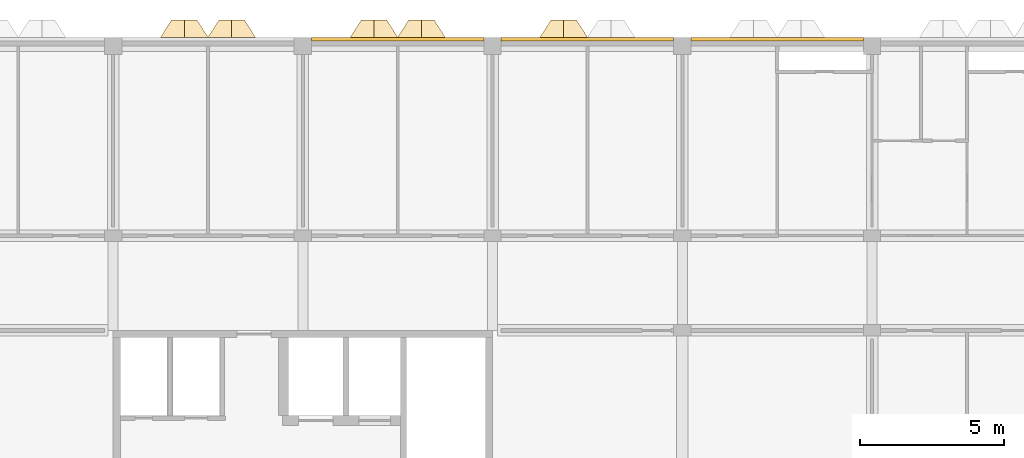
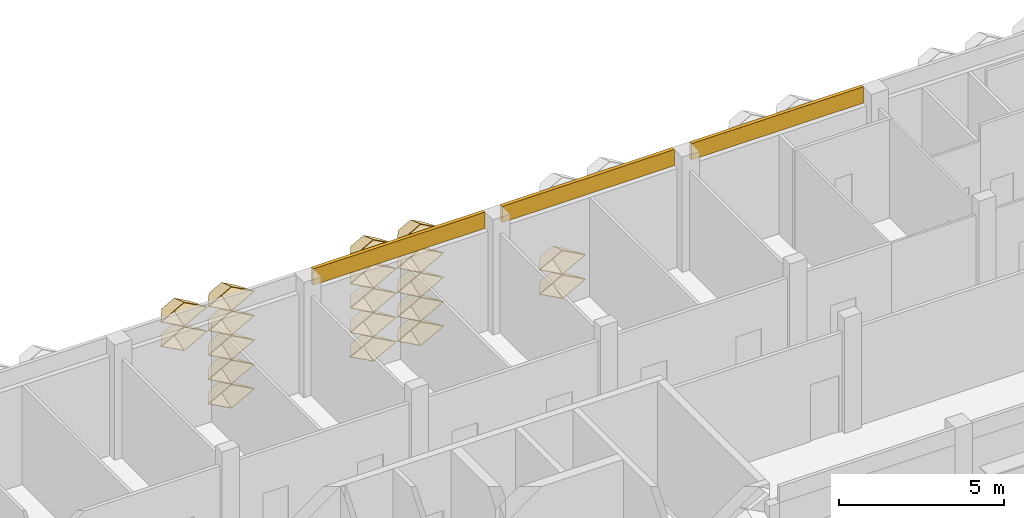
# One storey, part 79 of 85: 22 coverings.
"""IFC4 building model written with IfcOpenShell, lengths in metres."""

from ifc_helpers import new_model, entity, si_unit, direction, frame, frame_2d, origin, place, context, subcontext, project, spatial, rectangle, extrude, material, layer, layer_set, type_object, element, save


model = new_model("IFC4")

# Units and contexts
model_context = context("Model", 3, precision=1e-05, world=origin(), true_north=direction((0.0, 1.0)))
body_context = subcontext(model_context, "Body", "Model", "MODEL_VIEW")
ifc_project = project(units=[si_unit("LENGTHUNIT", "METRE"), si_unit("AREAUNIT", "SQUARE_METRE"), si_unit("VOLUMEUNIT", "CUBIC_METRE"), si_unit("PLANEANGLEUNIT", "RADIAN"), si_unit("MASSUNIT", "GRAM", prefix="KILO")], contexts=[model_context])

# Site, building, storey
site_placement = place(None, origin())
site = spatial("IfcSite", under=ifc_project, at=site_placement, CompositionType="ELEMENT")
building_placement = place(site_placement, origin())
building = spatial("IfcBuilding", under=site, at=building_placement, Name="Lantern Court Research Institute", CompositionType="ELEMENT")
storey_placement = place(building_placement, frame((0.0, 0.0, 18.89990234375)))
storey = spatial("IfcBuildingStorey", under=building, at=storey_placement, Name="L04", CompositionType="ELEMENT", Elevation=18.89990234375)

# Coverings
ifc_material_1 = material(Name="Aluminium composite panel with mineral wool insulation", Category="aluminium")
ifc_layer_1 = layer(ifc_material_1, 0.125)
ifc_layer_set_1 = layer_set([ifc_layer_1], Name="Aluminium composite panel with mineral wool insulation")
covering_type_1 = type_object("IfcCoveringType", Name="Edge fascia panel 125 aluminium faced", PredefinedType="CLADDING", material=ifc_layer_set_1)
for number, where, z_axis, x_axis, name in (
    (1, (46.5, 99.237548828125, 3.650146484375), (0.0, 0.0, 1.0), (1.0, 0.0, 0.0), "Edge fascia V6N L04 07"),
    (2, (53.10009765625, 99.237548828125, 3.650146484375), (0.0, 0.0, 1.0), (1.0, 0.0, 0.0), "Edge fascia V6N L04 08"),
    (3, (59.699951171875, 99.237548828125, 3.650146484375), (0.0, 0.0, 1.0), (1.0, 0.0, 0.0), "Edge fascia V6N L04 09"),
):
    element("IfcCovering", number, at=place(storey_placement, frame(where, z_axis=z_axis, x_axis=x_axis)), inside=storey, type_object=covering_type_1, Name=name, PredefinedType="CLADDING", context=body_context, shape_type="SweptSolid", body=[
        extrude(rectangle(XDim=6.0, YDim=0.125, at=frame_2d((3.0, 0.0))), origin(), (0.0, 0.0, 1.0), 0.599853515625),
    ])
ifc_material_2 = material(Name="Anodised aluminium", Category="aluminium")
ifc_layer_2 = layer(ifc_material_2, 0.01611328125)
ifc_layer_set_2 = layer_set([ifc_layer_2], Name="Anodised aluminium")
covering_type_2 = type_object("IfcCoveringType", Name="Fin cassette 1650 x 900 x 600 aluminium", PredefinedType="CLADDING", material=ifc_layer_set_2)
covering_1_placement = place(storey_placement, frame((43.72509765625, 99.300048828125, 0.4501953125), z_axis=(0.0, 1.0, 0.0), x_axis=(-1.0, 0.0, 0.0)))
cartesian_point_1 = entity("IfcCartesianPoint", [0.824951171875, 0.0])
cartesian_point_2 = entity("IfcCartesianPoint", [0.79150390625, 0.0])
cartesian_point_3 = entity("IfcCartesianPoint", [0.44189453125, 0.0])
cartesian_point_4 = entity("IfcCartesianPoint", [0.43359375, 0.0])
element("IfcCovering", 4, at=covering_1_placement, inside=storey, type_object=covering_type_2, Name="Fin cassette V6N-L04 1.27", PredefinedType="CLADDING", context=body_context, shape_type="SweptSolid", body=[
    entity("IfcExtrudedAreaSolidTapered", entity("IfcArbitraryProfileDefWithVoids", "AREA", None, entity("IfcPolyline", [cartesian_point_1, entity("IfcCartesianPoint", [0.0, 0.449951171875]), entity("IfcCartesianPoint", [-0.824951171875, 0.0]), entity("IfcCartesianPoint", [0.0, -0.449951171875]), cartesian_point_1]), [entity("IfcPolyline", [cartesian_point_2, entity("IfcCartesianPoint", [0.0, 0.431884765625]), entity("IfcCartesianPoint", [-0.79150390625, 0.0]), entity("IfcCartesianPoint", [0.0, -0.431884765625]), cartesian_point_2])]), entity("IfcAxis2Placement3D", entity("IfcCartesianPoint", [0.0, 0.0, 0.0])), entity("IfcDirection", [0.0, 0.0, 1.0]), 0.60009765625, entity("IfcArbitraryProfileDefWithVoids", "AREA", None, entity("IfcPolyline", [cartesian_point_3, entity("IfcCartesianPoint", [0.0, 0.240966796875]), entity("IfcCartesianPoint", [-0.44189453125, 0.0]), entity("IfcCartesianPoint", [0.0, -0.240966796875]), cartesian_point_3]), [entity("IfcPolyline", [cartesian_point_4, entity("IfcCartesianPoint", [0.0, 0.236572265625]), entity("IfcCartesianPoint", [-0.43359375, 0.0]), entity("IfcCartesianPoint", [0.0, -0.236572265625]), cartesian_point_4])])),
])
covering_2_placement = place(storey_placement, frame((48.675048828125, 99.300048828125, 0.4501953125), z_axis=(0.0, 1.0, 0.0), x_axis=(-1.0, 0.0, 0.0)))
cartesian_point_5 = entity("IfcCartesianPoint", [0.824951171875, 0.0])
cartesian_point_6 = entity("IfcCartesianPoint", [0.79150390625, 0.0])
cartesian_point_7 = entity("IfcCartesianPoint", [0.44189453125, 0.0])
cartesian_point_8 = entity("IfcCartesianPoint", [0.43359375, 0.0])
element("IfcCovering", 5, at=covering_2_placement, inside=storey, type_object=covering_type_2, Name="Fin cassette V6N-L04 1.30", PredefinedType="CLADDING", context=body_context, shape_type="SweptSolid", body=[
    entity("IfcExtrudedAreaSolidTapered", entity("IfcArbitraryProfileDefWithVoids", "AREA", None, entity("IfcPolyline", [cartesian_point_5, entity("IfcCartesianPoint", [0.0, 0.449951171875]), entity("IfcCartesianPoint", [-0.824951171875, 0.0]), entity("IfcCartesianPoint", [0.0, -0.449951171875]), cartesian_point_5]), [entity("IfcPolyline", [cartesian_point_6, entity("IfcCartesianPoint", [0.0, 0.431884765625]), entity("IfcCartesianPoint", [-0.79150390625, 0.0]), entity("IfcCartesianPoint", [0.0, -0.431884765625]), cartesian_point_6])]), entity("IfcAxis2Placement3D", entity("IfcCartesianPoint", [0.0, 0.0, 0.0])), entity("IfcDirection", [0.0, 0.0, 1.0]), 0.60009765625, entity("IfcArbitraryProfileDefWithVoids", "AREA", None, entity("IfcPolyline", [cartesian_point_7, entity("IfcCartesianPoint", [0.0, 0.240966796875]), entity("IfcCartesianPoint", [-0.44189453125, 0.0]), entity("IfcCartesianPoint", [0.0, -0.240966796875]), cartesian_point_7]), [entity("IfcPolyline", [cartesian_point_8, entity("IfcCartesianPoint", [0.0, 0.236572265625]), entity("IfcCartesianPoint", [-0.43359375, 0.0]), entity("IfcCartesianPoint", [0.0, -0.236572265625]), cartesian_point_8])])),
])
covering_3_placement = place(storey_placement, frame((50.324951171875, 99.300048828125, 0.4501953125), z_axis=(0.0, 1.0, 0.0), x_axis=(-1.0, 0.0, 0.0)))
cartesian_point_9 = entity("IfcCartesianPoint", [0.824951171875, 0.0])
cartesian_point_10 = entity("IfcCartesianPoint", [0.79150390625, 0.0])
cartesian_point_11 = entity("IfcCartesianPoint", [0.44189453125, 0.0])
cartesian_point_12 = entity("IfcCartesianPoint", [0.43359375, 0.0])
element("IfcCovering", 6, at=covering_3_placement, inside=storey, type_object=covering_type_2, Name="Fin cassette V6N-L04 1.31", PredefinedType="CLADDING", context=body_context, shape_type="SweptSolid", body=[
    entity("IfcExtrudedAreaSolidTapered", entity("IfcArbitraryProfileDefWithVoids", "AREA", None, entity("IfcPolyline", [cartesian_point_9, entity("IfcCartesianPoint", [0.0, 0.449951171875]), entity("IfcCartesianPoint", [-0.824951171875, 0.0]), entity("IfcCartesianPoint", [0.0, -0.449951171875]), cartesian_point_9]), [entity("IfcPolyline", [cartesian_point_10, entity("IfcCartesianPoint", [0.0, 0.431884765625]), entity("IfcCartesianPoint", [-0.79150390625, 0.0]), entity("IfcCartesianPoint", [0.0, -0.431884765625]), cartesian_point_10])]), entity("IfcAxis2Placement3D", entity("IfcCartesianPoint", [0.0, 0.0, 0.0])), entity("IfcDirection", [0.0, 0.0, 1.0]), 0.60009765625, entity("IfcArbitraryProfileDefWithVoids", "AREA", None, entity("IfcPolyline", [cartesian_point_11, entity("IfcCartesianPoint", [0.0, 0.240966796875]), entity("IfcCartesianPoint", [-0.44189453125, 0.0]), entity("IfcCartesianPoint", [0.0, -0.240966796875]), cartesian_point_11]), [entity("IfcPolyline", [cartesian_point_12, entity("IfcCartesianPoint", [0.0, 0.236572265625]), entity("IfcCartesianPoint", [-0.43359375, 0.0]), entity("IfcCartesianPoint", [0.0, -0.236572265625]), cartesian_point_12])])),
])
covering_4_placement = place(storey_placement, frame((55.27490234375, 99.300048828125, 0.4501953125), z_axis=(0.0, 1.0, 0.0), x_axis=(-1.0, 0.0, 0.0)))
cartesian_point_13 = entity("IfcCartesianPoint", [0.824951171875, 0.0])
cartesian_point_14 = entity("IfcCartesianPoint", [0.79150390625, 0.0])
cartesian_point_15 = entity("IfcCartesianPoint", [0.44189453125, 0.0])
cartesian_point_16 = entity("IfcCartesianPoint", [0.43359375, 0.0])
element("IfcCovering", 7, at=covering_4_placement, inside=storey, type_object=covering_type_2, Name="Fin cassette V6N-L04 1.34", PredefinedType="CLADDING", context=body_context, shape_type="SweptSolid", body=[
    entity("IfcExtrudedAreaSolidTapered", entity("IfcArbitraryProfileDefWithVoids", "AREA", None, entity("IfcPolyline", [cartesian_point_13, entity("IfcCartesianPoint", [0.0, 0.449951171875]), entity("IfcCartesianPoint", [-0.824951171875, 0.0]), entity("IfcCartesianPoint", [0.0, -0.449951171875]), cartesian_point_13]), [entity("IfcPolyline", [cartesian_point_14, entity("IfcCartesianPoint", [0.0, 0.431884765625]), entity("IfcCartesianPoint", [-0.79150390625, 0.0]), entity("IfcCartesianPoint", [0.0, -0.431884765625]), cartesian_point_14])]), entity("IfcAxis2Placement3D", entity("IfcCartesianPoint", [0.0, 0.0, 0.0])), entity("IfcDirection", [0.0, 0.0, 1.0]), 0.60009765625, entity("IfcArbitraryProfileDefWithVoids", "AREA", None, entity("IfcPolyline", [cartesian_point_15, entity("IfcCartesianPoint", [0.0, 0.240966796875]), entity("IfcCartesianPoint", [-0.44189453125, 0.0]), entity("IfcCartesianPoint", [0.0, -0.240966796875]), cartesian_point_15]), [entity("IfcPolyline", [cartesian_point_16, entity("IfcCartesianPoint", [0.0, 0.236572265625]), entity("IfcCartesianPoint", [-0.43359375, 0.0]), entity("IfcCartesianPoint", [0.0, -0.236572265625]), cartesian_point_16])])),
])
covering_5_placement = place(storey_placement, frame((43.72509765625, 99.300048828125, 1.35009765625), z_axis=(0.0, 1.0, 0.0), x_axis=(-1.0, 0.0, 0.0)))
cartesian_point_17 = entity("IfcCartesianPoint", [0.824951171875, 0.0])
cartesian_point_18 = entity("IfcCartesianPoint", [0.79150390625, 0.0])
cartesian_point_19 = entity("IfcCartesianPoint", [0.44189453125, 0.0])
cartesian_point_20 = entity("IfcCartesianPoint", [0.43359375, 0.0])
element("IfcCovering", 8, at=covering_5_placement, inside=storey, type_object=covering_type_2, Name="Fin cassette V6N-L04 2.27", PredefinedType="CLADDING", context=body_context, shape_type="SweptSolid", body=[
    entity("IfcExtrudedAreaSolidTapered", entity("IfcArbitraryProfileDefWithVoids", "AREA", None, entity("IfcPolyline", [cartesian_point_17, entity("IfcCartesianPoint", [0.0, 0.449951171875]), entity("IfcCartesianPoint", [-0.824951171875, 0.0]), entity("IfcCartesianPoint", [0.0, -0.449951171875]), cartesian_point_17]), [entity("IfcPolyline", [cartesian_point_18, entity("IfcCartesianPoint", [0.0, 0.431884765625]), entity("IfcCartesianPoint", [-0.79150390625, 0.0]), entity("IfcCartesianPoint", [0.0, -0.431884765625]), cartesian_point_18])]), entity("IfcAxis2Placement3D", entity("IfcCartesianPoint", [0.0, 0.0, 0.0])), entity("IfcDirection", [0.0, 0.0, 1.0]), 0.60009765625, entity("IfcArbitraryProfileDefWithVoids", "AREA", None, entity("IfcPolyline", [cartesian_point_19, entity("IfcCartesianPoint", [0.0, 0.240966796875]), entity("IfcCartesianPoint", [-0.44189453125, 0.0]), entity("IfcCartesianPoint", [0.0, -0.240966796875]), cartesian_point_19]), [entity("IfcPolyline", [cartesian_point_20, entity("IfcCartesianPoint", [0.0, 0.236572265625]), entity("IfcCartesianPoint", [-0.43359375, 0.0]), entity("IfcCartesianPoint", [0.0, -0.236572265625]), cartesian_point_20])])),
])
covering_6_placement = place(storey_placement, frame((48.675048828125, 99.300048828125, 1.35009765625), z_axis=(0.0, 1.0, 0.0), x_axis=(-1.0, 0.0, 0.0)))
cartesian_point_21 = entity("IfcCartesianPoint", [0.824951171875, 0.0])
cartesian_point_22 = entity("IfcCartesianPoint", [0.79150390625, 0.0])
cartesian_point_23 = entity("IfcCartesianPoint", [0.44189453125, 0.0])
cartesian_point_24 = entity("IfcCartesianPoint", [0.43359375, 0.0])
element("IfcCovering", 9, at=covering_6_placement, inside=storey, type_object=covering_type_2, Name="Fin cassette V6N-L04 2.30", PredefinedType="CLADDING", context=body_context, shape_type="SweptSolid", body=[
    entity("IfcExtrudedAreaSolidTapered", entity("IfcArbitraryProfileDefWithVoids", "AREA", None, entity("IfcPolyline", [cartesian_point_21, entity("IfcCartesianPoint", [0.0, 0.449951171875]), entity("IfcCartesianPoint", [-0.824951171875, 0.0]), entity("IfcCartesianPoint", [0.0, -0.449951171875]), cartesian_point_21]), [entity("IfcPolyline", [cartesian_point_22, entity("IfcCartesianPoint", [0.0, 0.431884765625]), entity("IfcCartesianPoint", [-0.79150390625, 0.0]), entity("IfcCartesianPoint", [0.0, -0.431884765625]), cartesian_point_22])]), entity("IfcAxis2Placement3D", entity("IfcCartesianPoint", [0.0, 0.0, 0.0])), entity("IfcDirection", [0.0, 0.0, 1.0]), 0.60009765625, entity("IfcArbitraryProfileDefWithVoids", "AREA", None, entity("IfcPolyline", [cartesian_point_23, entity("IfcCartesianPoint", [0.0, 0.240966796875]), entity("IfcCartesianPoint", [-0.44189453125, 0.0]), entity("IfcCartesianPoint", [0.0, -0.240966796875]), cartesian_point_23]), [entity("IfcPolyline", [cartesian_point_24, entity("IfcCartesianPoint", [0.0, 0.236572265625]), entity("IfcCartesianPoint", [-0.43359375, 0.0]), entity("IfcCartesianPoint", [0.0, -0.236572265625]), cartesian_point_24])])),
])
covering_7_placement = place(storey_placement, frame((50.324951171875, 99.300048828125, 1.35009765625), z_axis=(0.0, 1.0, 0.0), x_axis=(-1.0, 0.0, 0.0)))
cartesian_point_25 = entity("IfcCartesianPoint", [0.824951171875, 0.0])
cartesian_point_26 = entity("IfcCartesianPoint", [0.79150390625, 0.0])
cartesian_point_27 = entity("IfcCartesianPoint", [0.44189453125, 0.0])
cartesian_point_28 = entity("IfcCartesianPoint", [0.43359375, 0.0])
element("IfcCovering", 10, at=covering_7_placement, inside=storey, type_object=covering_type_2, Name="Fin cassette V6N-L04 2.31", PredefinedType="CLADDING", context=body_context, shape_type="SweptSolid", body=[
    entity("IfcExtrudedAreaSolidTapered", entity("IfcArbitraryProfileDefWithVoids", "AREA", None, entity("IfcPolyline", [cartesian_point_25, entity("IfcCartesianPoint", [0.0, 0.449951171875]), entity("IfcCartesianPoint", [-0.824951171875, 0.0]), entity("IfcCartesianPoint", [0.0, -0.449951171875]), cartesian_point_25]), [entity("IfcPolyline", [cartesian_point_26, entity("IfcCartesianPoint", [0.0, 0.431884765625]), entity("IfcCartesianPoint", [-0.79150390625, 0.0]), entity("IfcCartesianPoint", [0.0, -0.431884765625]), cartesian_point_26])]), entity("IfcAxis2Placement3D", entity("IfcCartesianPoint", [0.0, 0.0, 0.0])), entity("IfcDirection", [0.0, 0.0, 1.0]), 0.60009765625, entity("IfcArbitraryProfileDefWithVoids", "AREA", None, entity("IfcPolyline", [cartesian_point_27, entity("IfcCartesianPoint", [0.0, 0.240966796875]), entity("IfcCartesianPoint", [-0.44189453125, 0.0]), entity("IfcCartesianPoint", [0.0, -0.240966796875]), cartesian_point_27]), [entity("IfcPolyline", [cartesian_point_28, entity("IfcCartesianPoint", [0.0, 0.236572265625]), entity("IfcCartesianPoint", [-0.43359375, 0.0]), entity("IfcCartesianPoint", [0.0, -0.236572265625]), cartesian_point_28])])),
])
covering_8_placement = place(storey_placement, frame((55.27490234375, 99.300048828125, 1.35009765625), z_axis=(0.0, 1.0, 0.0), x_axis=(-1.0, 0.0, 0.0)))
cartesian_point_29 = entity("IfcCartesianPoint", [0.824951171875, 0.0])
cartesian_point_30 = entity("IfcCartesianPoint", [0.79150390625, 0.0])
cartesian_point_31 = entity("IfcCartesianPoint", [0.44189453125, 0.0])
cartesian_point_32 = entity("IfcCartesianPoint", [0.43359375, 0.0])
element("IfcCovering", 11, at=covering_8_placement, inside=storey, type_object=covering_type_2, Name="Fin cassette V6N-L04 2.34", PredefinedType="CLADDING", context=body_context, shape_type="SweptSolid", body=[
    entity("IfcExtrudedAreaSolidTapered", entity("IfcArbitraryProfileDefWithVoids", "AREA", None, entity("IfcPolyline", [cartesian_point_29, entity("IfcCartesianPoint", [0.0, 0.449951171875]), entity("IfcCartesianPoint", [-0.824951171875, 0.0]), entity("IfcCartesianPoint", [0.0, -0.449951171875]), cartesian_point_29]), [entity("IfcPolyline", [cartesian_point_30, entity("IfcCartesianPoint", [0.0, 0.431884765625]), entity("IfcCartesianPoint", [-0.79150390625, 0.0]), entity("IfcCartesianPoint", [0.0, -0.431884765625]), cartesian_point_30])]), entity("IfcAxis2Placement3D", entity("IfcCartesianPoint", [0.0, 0.0, 0.0])), entity("IfcDirection", [0.0, 0.0, 1.0]), 0.60009765625, entity("IfcArbitraryProfileDefWithVoids", "AREA", None, entity("IfcPolyline", [cartesian_point_31, entity("IfcCartesianPoint", [0.0, 0.240966796875]), entity("IfcCartesianPoint", [-0.44189453125, 0.0]), entity("IfcCartesianPoint", [0.0, -0.240966796875]), cartesian_point_31]), [entity("IfcPolyline", [cartesian_point_32, entity("IfcCartesianPoint", [0.0, 0.236572265625]), entity("IfcCartesianPoint", [-0.43359375, 0.0]), entity("IfcCartesianPoint", [0.0, -0.236572265625]), cartesian_point_32])])),
])
covering_9_placement = place(storey_placement, frame((43.72509765625, 99.300048828125, 2.25), z_axis=(0.0, 1.0, 0.0), x_axis=(-1.0, 0.0, 0.0)))
cartesian_point_33 = entity("IfcCartesianPoint", [0.824951171875, 0.0])
cartesian_point_34 = entity("IfcCartesianPoint", [0.79150390625, 0.0])
cartesian_point_35 = entity("IfcCartesianPoint", [0.44189453125, 0.0])
cartesian_point_36 = entity("IfcCartesianPoint", [0.43359375, 0.0])
element("IfcCovering", 12, at=covering_9_placement, inside=storey, type_object=covering_type_2, Name="Fin cassette V6N-L04 3.27", PredefinedType="CLADDING", context=body_context, shape_type="SweptSolid", body=[
    entity("IfcExtrudedAreaSolidTapered", entity("IfcArbitraryProfileDefWithVoids", "AREA", None, entity("IfcPolyline", [cartesian_point_33, entity("IfcCartesianPoint", [0.0, 0.449951171875]), entity("IfcCartesianPoint", [-0.824951171875, 0.0]), entity("IfcCartesianPoint", [0.0, -0.449951171875]), cartesian_point_33]), [entity("IfcPolyline", [cartesian_point_34, entity("IfcCartesianPoint", [0.0, 0.431884765625]), entity("IfcCartesianPoint", [-0.79150390625, 0.0]), entity("IfcCartesianPoint", [0.0, -0.431884765625]), cartesian_point_34])]), entity("IfcAxis2Placement3D", entity("IfcCartesianPoint", [0.0, 0.0, 0.0])), entity("IfcDirection", [0.0, 0.0, 1.0]), 0.60009765625, entity("IfcArbitraryProfileDefWithVoids", "AREA", None, entity("IfcPolyline", [cartesian_point_35, entity("IfcCartesianPoint", [0.0, 0.240966796875]), entity("IfcCartesianPoint", [-0.44189453125, 0.0]), entity("IfcCartesianPoint", [0.0, -0.240966796875]), cartesian_point_35]), [entity("IfcPolyline", [cartesian_point_36, entity("IfcCartesianPoint", [0.0, 0.236572265625]), entity("IfcCartesianPoint", [-0.43359375, 0.0]), entity("IfcCartesianPoint", [0.0, -0.236572265625]), cartesian_point_36])])),
])
covering_10_placement = place(storey_placement, frame((48.675048828125, 99.300048828125, 2.25), z_axis=(0.0, 1.0, 0.0), x_axis=(-1.0, 0.0, 0.0)))
cartesian_point_37 = entity("IfcCartesianPoint", [0.824951171875, 0.0])
cartesian_point_38 = entity("IfcCartesianPoint", [0.79150390625, 0.0])
cartesian_point_39 = entity("IfcCartesianPoint", [0.44189453125, 0.0])
cartesian_point_40 = entity("IfcCartesianPoint", [0.43359375, 0.0])
element("IfcCovering", 13, at=covering_10_placement, inside=storey, type_object=covering_type_2, Name="Fin cassette V6N-L04 3.30", PredefinedType="CLADDING", context=body_context, shape_type="SweptSolid", body=[
    entity("IfcExtrudedAreaSolidTapered", entity("IfcArbitraryProfileDefWithVoids", "AREA", None, entity("IfcPolyline", [cartesian_point_37, entity("IfcCartesianPoint", [0.0, 0.449951171875]), entity("IfcCartesianPoint", [-0.824951171875, 0.0]), entity("IfcCartesianPoint", [0.0, -0.449951171875]), cartesian_point_37]), [entity("IfcPolyline", [cartesian_point_38, entity("IfcCartesianPoint", [0.0, 0.431884765625]), entity("IfcCartesianPoint", [-0.79150390625, 0.0]), entity("IfcCartesianPoint", [0.0, -0.431884765625]), cartesian_point_38])]), entity("IfcAxis2Placement3D", entity("IfcCartesianPoint", [0.0, 0.0, 0.0])), entity("IfcDirection", [0.0, 0.0, 1.0]), 0.60009765625, entity("IfcArbitraryProfileDefWithVoids", "AREA", None, entity("IfcPolyline", [cartesian_point_39, entity("IfcCartesianPoint", [0.0, 0.240966796875]), entity("IfcCartesianPoint", [-0.44189453125, 0.0]), entity("IfcCartesianPoint", [0.0, -0.240966796875]), cartesian_point_39]), [entity("IfcPolyline", [cartesian_point_40, entity("IfcCartesianPoint", [0.0, 0.236572265625]), entity("IfcCartesianPoint", [-0.43359375, 0.0]), entity("IfcCartesianPoint", [0.0, -0.236572265625]), cartesian_point_40])])),
])
covering_11_placement = place(storey_placement, frame((50.324951171875, 99.300048828125, 2.25), z_axis=(0.0, 1.0, 0.0), x_axis=(-1.0, 0.0, 0.0)))
cartesian_point_41 = entity("IfcCartesianPoint", [0.824951171875, 0.0])
cartesian_point_42 = entity("IfcCartesianPoint", [0.79150390625, 0.0])
cartesian_point_43 = entity("IfcCartesianPoint", [0.44189453125, 0.0])
cartesian_point_44 = entity("IfcCartesianPoint", [0.43359375, 0.0])
element("IfcCovering", 14, at=covering_11_placement, inside=storey, type_object=covering_type_2, Name="Fin cassette V6N-L04 3.31", PredefinedType="CLADDING", context=body_context, shape_type="SweptSolid", body=[
    entity("IfcExtrudedAreaSolidTapered", entity("IfcArbitraryProfileDefWithVoids", "AREA", None, entity("IfcPolyline", [cartesian_point_41, entity("IfcCartesianPoint", [0.0, 0.449951171875]), entity("IfcCartesianPoint", [-0.824951171875, 0.0]), entity("IfcCartesianPoint", [0.0, -0.449951171875]), cartesian_point_41]), [entity("IfcPolyline", [cartesian_point_42, entity("IfcCartesianPoint", [0.0, 0.431884765625]), entity("IfcCartesianPoint", [-0.79150390625, 0.0]), entity("IfcCartesianPoint", [0.0, -0.431884765625]), cartesian_point_42])]), entity("IfcAxis2Placement3D", entity("IfcCartesianPoint", [0.0, 0.0, 0.0])), entity("IfcDirection", [0.0, 0.0, 1.0]), 0.60009765625, entity("IfcArbitraryProfileDefWithVoids", "AREA", None, entity("IfcPolyline", [cartesian_point_43, entity("IfcCartesianPoint", [0.0, 0.240966796875]), entity("IfcCartesianPoint", [-0.44189453125, 0.0]), entity("IfcCartesianPoint", [0.0, -0.240966796875]), cartesian_point_43]), [entity("IfcPolyline", [cartesian_point_44, entity("IfcCartesianPoint", [0.0, 0.236572265625]), entity("IfcCartesianPoint", [-0.43359375, 0.0]), entity("IfcCartesianPoint", [0.0, -0.236572265625]), cartesian_point_44])])),
])
covering_12_placement = place(storey_placement, frame((42.074951171875, 99.300048828125, 3.150146484375), z_axis=(0.0, 1.0, 0.0), x_axis=(-1.0, 0.0, 0.0)))
cartesian_point_45 = entity("IfcCartesianPoint", [0.824951171875, 0.0])
cartesian_point_46 = entity("IfcCartesianPoint", [0.79150390625, 0.0])
cartesian_point_47 = entity("IfcCartesianPoint", [0.44189453125, 0.0])
cartesian_point_48 = entity("IfcCartesianPoint", [0.43359375, 0.0])
element("IfcCovering", 15, at=covering_12_placement, inside=storey, type_object=covering_type_2, Name="Fin cassette V6N-L04 4.26", PredefinedType="CLADDING", context=body_context, shape_type="SweptSolid", body=[
    entity("IfcExtrudedAreaSolidTapered", entity("IfcArbitraryProfileDefWithVoids", "AREA", None, entity("IfcPolyline", [cartesian_point_45, entity("IfcCartesianPoint", [0.0, 0.449951171875]), entity("IfcCartesianPoint", [-0.824951171875, 0.0]), entity("IfcCartesianPoint", [0.0, -0.449951171875]), cartesian_point_45]), [entity("IfcPolyline", [cartesian_point_46, entity("IfcCartesianPoint", [0.0, 0.431884765625]), entity("IfcCartesianPoint", [-0.79150390625, 0.0]), entity("IfcCartesianPoint", [0.0, -0.431884765625]), cartesian_point_46])]), entity("IfcAxis2Placement3D", entity("IfcCartesianPoint", [0.0, 0.0, 0.0])), entity("IfcDirection", [0.0, 0.0, 1.0]), 0.60009765625, entity("IfcArbitraryProfileDefWithVoids", "AREA", None, entity("IfcPolyline", [cartesian_point_47, entity("IfcCartesianPoint", [0.0, 0.240966796875]), entity("IfcCartesianPoint", [-0.44189453125, 0.0]), entity("IfcCartesianPoint", [0.0, -0.240966796875]), cartesian_point_47]), [entity("IfcPolyline", [cartesian_point_48, entity("IfcCartesianPoint", [0.0, 0.236572265625]), entity("IfcCartesianPoint", [-0.43359375, 0.0]), entity("IfcCartesianPoint", [0.0, -0.236572265625]), cartesian_point_48])])),
])
covering_13_placement = place(storey_placement, frame((43.72509765625, 99.300048828125, 3.150146484375), z_axis=(0.0, 1.0, 0.0), x_axis=(-1.0, 0.0, 0.0)))
cartesian_point_49 = entity("IfcCartesianPoint", [0.824951171875, 0.0])
cartesian_point_50 = entity("IfcCartesianPoint", [0.79150390625, 0.0])
cartesian_point_51 = entity("IfcCartesianPoint", [0.44189453125, 0.0])
cartesian_point_52 = entity("IfcCartesianPoint", [0.43359375, 0.0])
element("IfcCovering", 16, at=covering_13_placement, inside=storey, type_object=covering_type_2, Name="Fin cassette V6N-L04 4.27", PredefinedType="CLADDING", context=body_context, shape_type="SweptSolid", body=[
    entity("IfcExtrudedAreaSolidTapered", entity("IfcArbitraryProfileDefWithVoids", "AREA", None, entity("IfcPolyline", [cartesian_point_49, entity("IfcCartesianPoint", [0.0, 0.449951171875]), entity("IfcCartesianPoint", [-0.824951171875, 0.0]), entity("IfcCartesianPoint", [0.0, -0.449951171875]), cartesian_point_49]), [entity("IfcPolyline", [cartesian_point_50, entity("IfcCartesianPoint", [0.0, 0.431884765625]), entity("IfcCartesianPoint", [-0.79150390625, 0.0]), entity("IfcCartesianPoint", [0.0, -0.431884765625]), cartesian_point_50])]), entity("IfcAxis2Placement3D", entity("IfcCartesianPoint", [0.0, 0.0, 0.0])), entity("IfcDirection", [0.0, 0.0, 1.0]), 0.60009765625, entity("IfcArbitraryProfileDefWithVoids", "AREA", None, entity("IfcPolyline", [cartesian_point_51, entity("IfcCartesianPoint", [0.0, 0.240966796875]), entity("IfcCartesianPoint", [-0.44189453125, 0.0]), entity("IfcCartesianPoint", [0.0, -0.240966796875]), cartesian_point_51]), [entity("IfcPolyline", [cartesian_point_52, entity("IfcCartesianPoint", [0.0, 0.236572265625]), entity("IfcCartesianPoint", [-0.43359375, 0.0]), entity("IfcCartesianPoint", [0.0, -0.236572265625]), cartesian_point_52])])),
])
covering_14_placement = place(storey_placement, frame((48.675048828125, 99.300048828125, 3.150146484375), z_axis=(0.0, 1.0, 0.0), x_axis=(-1.0, 0.0, 0.0)))
cartesian_point_53 = entity("IfcCartesianPoint", [0.824951171875, 0.0])
cartesian_point_54 = entity("IfcCartesianPoint", [0.79150390625, 0.0])
cartesian_point_55 = entity("IfcCartesianPoint", [0.44189453125, 0.0])
cartesian_point_56 = entity("IfcCartesianPoint", [0.43359375, 0.0])
element("IfcCovering", 17, at=covering_14_placement, inside=storey, type_object=covering_type_2, Name="Fin cassette V6N-L04 4.30", PredefinedType="CLADDING", context=body_context, shape_type="SweptSolid", body=[
    entity("IfcExtrudedAreaSolidTapered", entity("IfcArbitraryProfileDefWithVoids", "AREA", None, entity("IfcPolyline", [cartesian_point_53, entity("IfcCartesianPoint", [0.0, 0.449951171875]), entity("IfcCartesianPoint", [-0.824951171875, 0.0]), entity("IfcCartesianPoint", [0.0, -0.449951171875]), cartesian_point_53]), [entity("IfcPolyline", [cartesian_point_54, entity("IfcCartesianPoint", [0.0, 0.431884765625]), entity("IfcCartesianPoint", [-0.79150390625, 0.0]), entity("IfcCartesianPoint", [0.0, -0.431884765625]), cartesian_point_54])]), entity("IfcAxis2Placement3D", entity("IfcCartesianPoint", [0.0, 0.0, 0.0])), entity("IfcDirection", [0.0, 0.0, 1.0]), 0.60009765625, entity("IfcArbitraryProfileDefWithVoids", "AREA", None, entity("IfcPolyline", [cartesian_point_55, entity("IfcCartesianPoint", [0.0, 0.240966796875]), entity("IfcCartesianPoint", [-0.44189453125, 0.0]), entity("IfcCartesianPoint", [0.0, -0.240966796875]), cartesian_point_55]), [entity("IfcPolyline", [cartesian_point_56, entity("IfcCartesianPoint", [0.0, 0.236572265625]), entity("IfcCartesianPoint", [-0.43359375, 0.0]), entity("IfcCartesianPoint", [0.0, -0.236572265625]), cartesian_point_56])])),
])
covering_15_placement = place(storey_placement, frame((50.324951171875, 99.300048828125, 3.150146484375), z_axis=(0.0, 1.0, 0.0), x_axis=(-1.0, 0.0, 0.0)))
cartesian_point_57 = entity("IfcCartesianPoint", [0.824951171875, 0.0])
cartesian_point_58 = entity("IfcCartesianPoint", [0.79150390625, 0.0])
cartesian_point_59 = entity("IfcCartesianPoint", [0.44189453125, 0.0])
cartesian_point_60 = entity("IfcCartesianPoint", [0.43359375, 0.0])
element("IfcCovering", 18, at=covering_15_placement, inside=storey, type_object=covering_type_2, Name="Fin cassette V6N-L04 4.31", PredefinedType="CLADDING", context=body_context, shape_type="SweptSolid", body=[
    entity("IfcExtrudedAreaSolidTapered", entity("IfcArbitraryProfileDefWithVoids", "AREA", None, entity("IfcPolyline", [cartesian_point_57, entity("IfcCartesianPoint", [0.0, 0.449951171875]), entity("IfcCartesianPoint", [-0.824951171875, 0.0]), entity("IfcCartesianPoint", [0.0, -0.449951171875]), cartesian_point_57]), [entity("IfcPolyline", [cartesian_point_58, entity("IfcCartesianPoint", [0.0, 0.431884765625]), entity("IfcCartesianPoint", [-0.79150390625, 0.0]), entity("IfcCartesianPoint", [0.0, -0.431884765625]), cartesian_point_58])]), entity("IfcAxis2Placement3D", entity("IfcCartesianPoint", [0.0, 0.0, 0.0])), entity("IfcDirection", [0.0, 0.0, 1.0]), 0.60009765625, entity("IfcArbitraryProfileDefWithVoids", "AREA", None, entity("IfcPolyline", [cartesian_point_59, entity("IfcCartesianPoint", [0.0, 0.240966796875]), entity("IfcCartesianPoint", [-0.44189453125, 0.0]), entity("IfcCartesianPoint", [0.0, -0.240966796875]), cartesian_point_59]), [entity("IfcPolyline", [cartesian_point_60, entity("IfcCartesianPoint", [0.0, 0.236572265625]), entity("IfcCartesianPoint", [-0.43359375, 0.0]), entity("IfcCartesianPoint", [0.0, -0.236572265625]), cartesian_point_60])])),
])
covering_16_placement = place(storey_placement, frame((42.074951171875, 99.300048828125, 4.050048828125), z_axis=(0.0, 1.0, 0.0), x_axis=(-1.0, 0.0, 0.0)))
cartesian_point_61 = entity("IfcCartesianPoint", [0.824951171875, 0.0])
cartesian_point_62 = entity("IfcCartesianPoint", [0.79150390625, 0.0])
cartesian_point_63 = entity("IfcCartesianPoint", [0.44189453125, 0.0])
cartesian_point_64 = entity("IfcCartesianPoint", [0.43359375, 0.0])
element("IfcCovering", 19, at=covering_16_placement, inside=storey, type_object=covering_type_2, Name="Fin cassette V6N-L04 5.26", PredefinedType="CLADDING", context=body_context, shape_type="SweptSolid", body=[
    entity("IfcExtrudedAreaSolidTapered", entity("IfcArbitraryProfileDefWithVoids", "AREA", None, entity("IfcPolyline", [cartesian_point_61, entity("IfcCartesianPoint", [0.0, 0.449951171875]), entity("IfcCartesianPoint", [-0.824951171875, 0.0]), entity("IfcCartesianPoint", [0.0, -0.449951171875]), cartesian_point_61]), [entity("IfcPolyline", [cartesian_point_62, entity("IfcCartesianPoint", [0.0, 0.431884765625]), entity("IfcCartesianPoint", [-0.79150390625, 0.0]), entity("IfcCartesianPoint", [0.0, -0.431884765625]), cartesian_point_62])]), entity("IfcAxis2Placement3D", entity("IfcCartesianPoint", [0.0, 0.0, 0.0])), entity("IfcDirection", [0.0, 0.0, 1.0]), 0.60009765625, entity("IfcArbitraryProfileDefWithVoids", "AREA", None, entity("IfcPolyline", [cartesian_point_63, entity("IfcCartesianPoint", [0.0, 0.240966796875]), entity("IfcCartesianPoint", [-0.44189453125, 0.0]), entity("IfcCartesianPoint", [0.0, -0.240966796875]), cartesian_point_63]), [entity("IfcPolyline", [cartesian_point_64, entity("IfcCartesianPoint", [0.0, 0.236572265625]), entity("IfcCartesianPoint", [-0.43359375, 0.0]), entity("IfcCartesianPoint", [0.0, -0.236572265625]), cartesian_point_64])])),
])
covering_17_placement = place(storey_placement, frame((43.72509765625, 99.300048828125, 4.050048828125), z_axis=(0.0, 1.0, 0.0), x_axis=(-1.0, 0.0, 0.0)))
cartesian_point_65 = entity("IfcCartesianPoint", [0.824951171875, 0.0])
cartesian_point_66 = entity("IfcCartesianPoint", [0.79150390625, 0.0])
cartesian_point_67 = entity("IfcCartesianPoint", [0.44189453125, 0.0])
cartesian_point_68 = entity("IfcCartesianPoint", [0.43359375, 0.0])
element("IfcCovering", 20, at=covering_17_placement, inside=storey, type_object=covering_type_2, Name="Fin cassette V6N-L04 5.27", PredefinedType="CLADDING", context=body_context, shape_type="SweptSolid", body=[
    entity("IfcExtrudedAreaSolidTapered", entity("IfcArbitraryProfileDefWithVoids", "AREA", None, entity("IfcPolyline", [cartesian_point_65, entity("IfcCartesianPoint", [0.0, 0.449951171875]), entity("IfcCartesianPoint", [-0.824951171875, 0.0]), entity("IfcCartesianPoint", [0.0, -0.449951171875]), cartesian_point_65]), [entity("IfcPolyline", [cartesian_point_66, entity("IfcCartesianPoint", [0.0, 0.431884765625]), entity("IfcCartesianPoint", [-0.79150390625, 0.0]), entity("IfcCartesianPoint", [0.0, -0.431884765625]), cartesian_point_66])]), entity("IfcAxis2Placement3D", entity("IfcCartesianPoint", [0.0, 0.0, 0.0])), entity("IfcDirection", [0.0, 0.0, 1.0]), 0.60009765625, entity("IfcArbitraryProfileDefWithVoids", "AREA", None, entity("IfcPolyline", [cartesian_point_67, entity("IfcCartesianPoint", [0.0, 0.240966796875]), entity("IfcCartesianPoint", [-0.44189453125, 0.0]), entity("IfcCartesianPoint", [0.0, -0.240966796875]), cartesian_point_67]), [entity("IfcPolyline", [cartesian_point_68, entity("IfcCartesianPoint", [0.0, 0.236572265625]), entity("IfcCartesianPoint", [-0.43359375, 0.0]), entity("IfcCartesianPoint", [0.0, -0.236572265625]), cartesian_point_68])])),
])
covering_18_placement = place(storey_placement, frame((48.675048828125, 99.300048828125, 4.050048828125), z_axis=(0.0, 1.0, 0.0), x_axis=(-1.0, 0.0, 0.0)))
cartesian_point_69 = entity("IfcCartesianPoint", [0.824951171875, 0.0])
cartesian_point_70 = entity("IfcCartesianPoint", [0.79150390625, 0.0])
cartesian_point_71 = entity("IfcCartesianPoint", [0.44189453125, 0.0])
cartesian_point_72 = entity("IfcCartesianPoint", [0.43359375, 0.0])
element("IfcCovering", 21, at=covering_18_placement, inside=storey, type_object=covering_type_2, Name="Fin cassette V6N-L04 5.30", PredefinedType="CLADDING", context=body_context, shape_type="SweptSolid", body=[
    entity("IfcExtrudedAreaSolidTapered", entity("IfcArbitraryProfileDefWithVoids", "AREA", None, entity("IfcPolyline", [cartesian_point_69, entity("IfcCartesianPoint", [0.0, 0.449951171875]), entity("IfcCartesianPoint", [-0.824951171875, 0.0]), entity("IfcCartesianPoint", [0.0, -0.449951171875]), cartesian_point_69]), [entity("IfcPolyline", [cartesian_point_70, entity("IfcCartesianPoint", [0.0, 0.431884765625]), entity("IfcCartesianPoint", [-0.79150390625, 0.0]), entity("IfcCartesianPoint", [0.0, -0.431884765625]), cartesian_point_70])]), entity("IfcAxis2Placement3D", entity("IfcCartesianPoint", [0.0, 0.0, 0.0])), entity("IfcDirection", [0.0, 0.0, 1.0]), 0.60009765625, entity("IfcArbitraryProfileDefWithVoids", "AREA", None, entity("IfcPolyline", [cartesian_point_71, entity("IfcCartesianPoint", [0.0, 0.240966796875]), entity("IfcCartesianPoint", [-0.44189453125, 0.0]), entity("IfcCartesianPoint", [0.0, -0.240966796875]), cartesian_point_71]), [entity("IfcPolyline", [cartesian_point_72, entity("IfcCartesianPoint", [0.0, 0.236572265625]), entity("IfcCartesianPoint", [-0.43359375, 0.0]), entity("IfcCartesianPoint", [0.0, -0.236572265625]), cartesian_point_72])])),
])
covering_19_placement = place(storey_placement, frame((50.324951171875, 99.300048828125, 4.050048828125), z_axis=(0.0, 1.0, 0.0), x_axis=(-1.0, 0.0, 0.0)))
cartesian_point_73 = entity("IfcCartesianPoint", [0.824951171875, 0.0])
cartesian_point_74 = entity("IfcCartesianPoint", [0.79150390625, 0.0])
cartesian_point_75 = entity("IfcCartesianPoint", [0.44189453125, 0.0])
cartesian_point_76 = entity("IfcCartesianPoint", [0.43359375, 0.0])
element("IfcCovering", 22, at=covering_19_placement, inside=storey, type_object=covering_type_2, Name="Fin cassette V6N-L04 5.31", PredefinedType="CLADDING", context=body_context, shape_type="SweptSolid", body=[
    entity("IfcExtrudedAreaSolidTapered", entity("IfcArbitraryProfileDefWithVoids", "AREA", None, entity("IfcPolyline", [cartesian_point_73, entity("IfcCartesianPoint", [0.0, 0.449951171875]), entity("IfcCartesianPoint", [-0.824951171875, 0.0]), entity("IfcCartesianPoint", [0.0, -0.449951171875]), cartesian_point_73]), [entity("IfcPolyline", [cartesian_point_74, entity("IfcCartesianPoint", [0.0, 0.431884765625]), entity("IfcCartesianPoint", [-0.79150390625, 0.0]), entity("IfcCartesianPoint", [0.0, -0.431884765625]), cartesian_point_74])]), entity("IfcAxis2Placement3D", entity("IfcCartesianPoint", [0.0, 0.0, 0.0])), entity("IfcDirection", [0.0, 0.0, 1.0]), 0.60009765625, entity("IfcArbitraryProfileDefWithVoids", "AREA", None, entity("IfcPolyline", [cartesian_point_75, entity("IfcCartesianPoint", [0.0, 0.240966796875]), entity("IfcCartesianPoint", [-0.44189453125, 0.0]), entity("IfcCartesianPoint", [0.0, -0.240966796875]), cartesian_point_75]), [entity("IfcPolyline", [cartesian_point_76, entity("IfcCartesianPoint", [0.0, 0.236572265625]), entity("IfcCartesianPoint", [-0.43359375, 0.0]), entity("IfcCartesianPoint", [0.0, -0.236572265625]), cartesian_point_76])])),
])

save(model, "model.ifc")
